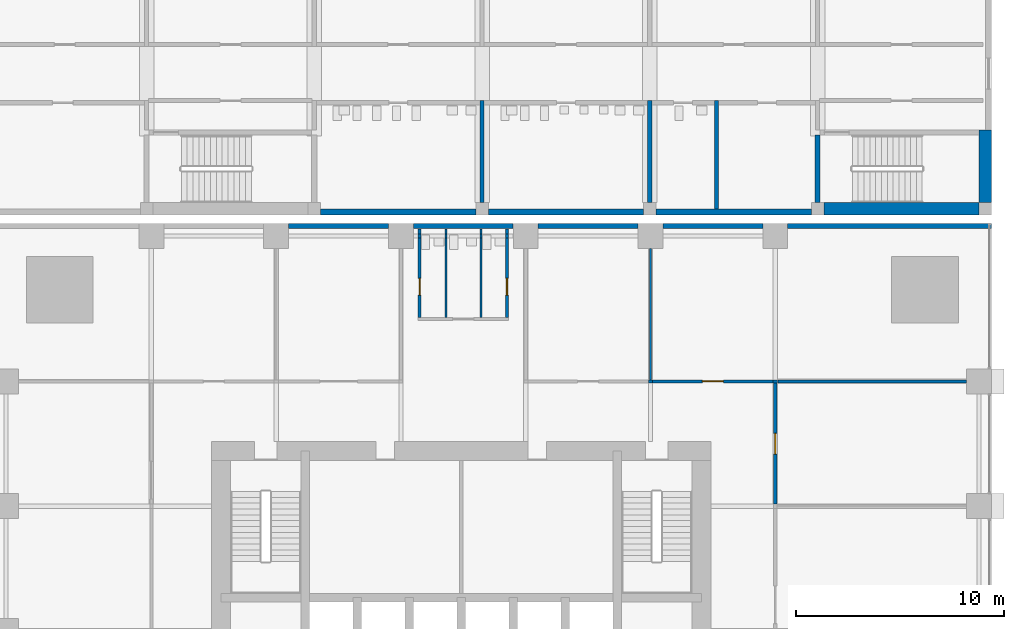
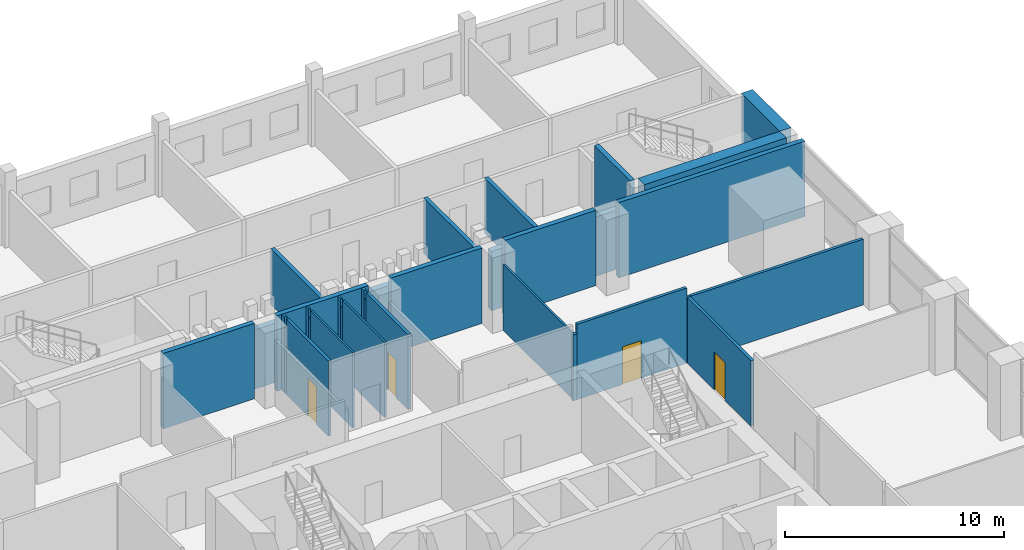
# One storey, part 15 of 25: 32 walls, 4 doors, 4 openings.
"""IFC4 building model written with IfcOpenShell, lengths in metres."""

from ifc_helpers import new_model, si_unit, direction, frame, frame_2d, origin, place, context, subcontext, project, spatial, rectangle, extrude, material, layer, layer_set, type_object, element, fill, save


model = new_model("IFC4")

# Units and contexts
model_context = context("Model", 3, precision=1e-05, world=origin(), true_north=direction((0.0, 1.0)))
body_context = subcontext(model_context, "Body", "Model", "MODEL_VIEW")
ifc_project = project(units=[si_unit("LENGTHUNIT", "METRE"), si_unit("AREAUNIT", "SQUARE_METRE"), si_unit("VOLUMEUNIT", "CUBIC_METRE"), si_unit("PLANEANGLEUNIT", "RADIAN"), si_unit("MASSUNIT", "GRAM", prefix="KILO")], contexts=[model_context])

# Site, building, storey
site_placement = place(None, origin())
site = spatial("IfcSite", under=ifc_project, at=site_placement, CompositionType="ELEMENT")
building_placement = place(site_placement, origin())
building = spatial("IfcBuilding", under=site, at=building_placement, Name="Amberfall Residences", CompositionType="ELEMENT")
storey_placement = place(building_placement, frame((0.0, 0.0, 10.0)))
storey = spatial("IfcBuildingStorey", under=building, at=storey_placement, Name="L02", CompositionType="ELEMENT", Elevation=10.0)

# Walls
ifc_material_1 = material(Name="Gypsum board on steel studs", Category="steel")
ifc_layer_1 = layer(ifc_material_1, 0.10009765625)
ifc_layer_set_1 = layer_set([ifc_layer_1], Name="Partition 100")
wall_type_1 = type_object("IfcWallType", Name="Partition 100", PredefinedType="PARTITIONING", material=ifc_layer_set_1)
wall_1_placement = place(storey_placement, frame((73.760009765625, 63.47509765625, 0.0), z_axis=(0.0, 0.0, 1.0), x_axis=(0.0, 1.0, 0.0)))
element("IfcWall", 1, at=wall_1_placement, inside=storey, type_object=wall_type_1, Name="Partition 100 L02 006", PredefinedType="PARTITIONING", context=body_context, shape_type="SweptSolid", body=[
    extrude(rectangle(XDim=3.830078125, YDim=0.10009765625, at=frame_2d((1.9150390625, 0.0))), origin(), (0.0, 0.0, 1.0), 4.199951171875),
])
wall_2_placement = place(storey_placement, frame((73.760009765625, 67.30517578125, 0.0), z_axis=(0.0, 0.0, 1.0), x_axis=(0.0, 1.0, 0.0)))
element("IfcWall", 2, at=wall_2_placement, inside=storey, type_object=wall_type_1, Name="Partition 100 L02 007", PredefinedType="PARTITIONING", context=body_context, shape_type="SweptSolid", body=[
    extrude(rectangle(XDim=0.18994140625, YDim=0.10009765625, at=frame_2d((0.094970703125, 0.0))), origin(), (0.0, 0.0, 1.0), 3.7470703125),
])
wall_3_placement = place(storey_placement, frame((73.760009765625, 67.4951171875, 0.0), z_axis=(0.0, 0.0, 1.0), x_axis=(0.0, 1.0, 0.0)))
element("IfcWall", 3, at=wall_3_placement, inside=storey, type_object=wall_type_1, Name="Partition 100 L02 008", PredefinedType="PARTITIONING", context=body_context, shape_type="SweptSolid", body=[
    extrude(rectangle(XDim=0.244873046875, YDim=0.10009765625, at=frame_2d((0.12255859375, 0.0))), origin(), (0.0, 0.0, 1.0), 4.199951171875),
])
wall_4_placement = place(storey_placement, frame((75.43994140625, 63.47509765625, 0.0), z_axis=(0.0, 0.0, 1.0), x_axis=(0.0, 1.0, 0.0)))
element("IfcWall", 4, at=wall_4_placement, inside=storey, type_object=wall_type_1, Name="Partition 100 L02 009", PredefinedType="PARTITIONING", context=body_context, shape_type="SweptSolid", body=[
    extrude(rectangle(XDim=3.830078125, YDim=0.10009765625, at=frame_2d((1.9150390625, 0.0))), origin(), (0.0, 0.0, 1.0), 4.199951171875),
])
wall_5_placement = place(storey_placement, frame((75.43994140625, 67.30517578125, 0.0), z_axis=(0.0, 0.0, 1.0), x_axis=(0.0, 1.0, 0.0)))
element("IfcWall", 5, at=wall_5_placement, inside=storey, type_object=wall_type_1, Name="Partition 100 L02 010", PredefinedType="PARTITIONING", context=body_context, shape_type="SweptSolid", body=[
    extrude(rectangle(XDim=0.18994140625, YDim=0.10009765625, at=frame_2d((0.094970703125, 0.0))), origin(), (0.0, 0.0, 1.0), 3.7470703125),
])
wall_6_placement = place(storey_placement, frame((75.43994140625, 67.4951171875, 0.0), z_axis=(0.0, 0.0, 1.0), x_axis=(0.0, 1.0, 0.0)))
element("IfcWall", 6, at=wall_6_placement, inside=storey, type_object=wall_type_1, Name="Partition 100 L02 011", PredefinedType="PARTITIONING", context=body_context, shape_type="SweptSolid", body=[
    extrude(rectangle(XDim=0.244873046875, YDim=0.10009765625, at=frame_2d((0.12255859375, 0.0))), origin(), (0.0, 0.0, 1.0), 4.199951171875),
])
wall_7_placement = place(storey_placement, frame((83.60009765625, 60.47509765625, 0.0), z_axis=(0.0, 0.0, 1.0), x_axis=(0.0, 1.0, 0.0)))
element("IfcWall", 7, at=wall_7_placement, inside=storey, type_object=wall_type_1, Name="Partition 100 L02 013", PredefinedType="PARTITIONING", context=body_context, shape_type="SweptSolid", body=[
    extrude(rectangle(XDim=6.324951171875, YDim=0.10009765625, at=frame_2d((3.16259765625, 0.0))), origin(), (0.0, 0.0, 1.0), 3.6669921875),
])
ifc_material_2 = material(Name="Fire-rated gypsum board on steel studs", Category="steel")
ifc_layer_2 = layer(ifc_material_2, 0.14990234375)
ifc_layer_set_2 = layer_set([ifc_layer_2], Name="Partition 150 fire-rated")
wall_type_2 = type_object("IfcWallType", Name="Partition 150 fire-rated", PredefinedType="PARTITIONING", material=ifc_layer_set_2)
wall_8_placement = place(storey_placement, frame((83.495361328125, 60.39990234375, 0.0), z_axis=(0.0, 0.0, 1.0), x_axis=(1.0, 0.0, 0.0)))
element("IfcWall", 8, at=wall_8_placement, inside=storey, type_object=wall_type_2, Name="Partition 150 fire-rated L02 022", PredefinedType="PARTITIONING", context=body_context, shape_type="SweptSolid", body=[
    extrude(rectangle(XDim=0.209228515625, YDim=0.14990234375, at=frame_2d((0.1044921875, 0.0))), origin(), (0.0, 0.0, 1.0), 3.6669921875),
])

# Wall, opening, door
wall_9_placement = place(storey_placement, frame((83.70458984375, 60.39990234375, 0.0), z_axis=(0.0, 0.0, 1.0), x_axis=(1.0, 0.0, 0.0)))
wall_9 = element("IfcWall", 9, at=wall_9_placement, inside=storey, type_object=wall_type_2, Name="Partition 150 fire-rated L02 023", PredefinedType="PARTITIONING", context=body_context, shape_type="SweptSolid", body=[
    extrude(rectangle(XDim=5.7900390625, YDim=0.14990234375, at=frame_2d((2.89501953125, 0.0))), origin(), (0.0, 0.0, 1.0), 4.199951171875),
])
opening_1_placement = place(wall_9_placement, frame((2.395263671875, 0.0, 0.0)))
opening_1 = element("IfcOpeningElement", 10, at=opening_1_placement, cuts=wall_9, Name="Opening D2", PredefinedType="OPENING", context=body_context, shape_type="SweptSolid", body=[
    extrude(rectangle(XDim=1.0, YDim=2.10009765625, at=frame_2d((0.5, 1.050048828125))), frame((0.0, 0.0849609375, 0.0), z_axis=(0.0, -1.0, 0.0), x_axis=(1.0, 0.0, 0.0)), (0.0, 0.0, 1.0), 0.169921875),
])
ifc_material_3 = material(Name="Steel fire door leaf", Category="steel")
door_type_1 = type_object("IfcDoorType", Name="Fire door 1000x2100 FD30S", OperationType="SINGLE_SWING_LEFT", PredefinedType="DOOR", material=ifc_material_3)
door_1_placement = place(opening_1_placement, origin())
door_1 = element("IfcDoor", 11, at=door_1_placement, inside=storey, type_object=door_type_1, Name="Door Massage rooms", OperationType="SINGLE_SWING_LEFT", OverallHeight=2.10009765625, OverallWidth=1.0, PredefinedType="DOOR", context=body_context, shape_type="SweptSolid", body=[
    extrude(rectangle(XDim=1.0, YDim=2.10009765625, at=frame_2d((0.5, 1.050048828125))), frame((0.0, 0.02490234375, 0.0), z_axis=(0.0, -1.0, 0.0), x_axis=(1.0, 0.0, 0.0)), (0.0, 0.0, 1.0), 0.050048828125),
])
fill(opening_1, door_1)

# Walls
wall_10_placement = place(storey_placement, frame((89.49462890625, 60.39990234375, 0.0), z_axis=(0.0, 0.0, 1.0), x_axis=(1.0, 0.0, 0.0)))
element("IfcWall", 12, at=wall_10_placement, inside=storey, type_object=wall_type_2, Name="Partition 150 fire-rated L02 024", PredefinedType="PARTITIONING", context=body_context, shape_type="SweptSolid", body=[
    extrude(rectangle(XDim=0.210693359375, YDim=0.14990234375, at=frame_2d((0.10546875, 0.0))), origin(), (0.0, 0.0, 1.0), 3.659912109375),
])
wall_11_placement = place(storey_placement, frame((89.719970703125, 60.39990234375, 0.0), z_axis=(0.0, 0.0, 1.0), x_axis=(1.0, 0.0, 0.0)))
element("IfcWall", 13, at=wall_11_placement, inside=storey, type_object=wall_type_2, Name="Partition 150 fire-rated L02 025", PredefinedType="PARTITIONING", context=body_context, shape_type="SweptSolid", body=[
    extrude(rectangle(XDim=9.080078125, YDim=0.14990234375, at=frame_2d((4.5400390625, 0.0))), origin(), (0.0, 0.0, 1.0), 3.6669921875),
])

# Wall, opening, door
wall_12_placement = place(storey_placement, frame((72.5, 63.47509765625, 0.0), z_axis=(0.0, 0.0, 1.0), x_axis=(0.0, 1.0, 0.0)))
wall_12 = element("IfcWall", 14, at=wall_12_placement, inside=storey, type_object=wall_type_2, Name="Partition 150 fire-rated L02 037", PredefinedType="PARTITIONING", context=body_context, shape_type="SweptSolid", body=[
    extrude(rectangle(XDim=3.830078125, YDim=0.14990234375, at=frame_2d((1.9150390625, 0.0))), origin(), (0.0, 0.0, 1.0), 4.199951171875),
])
opening_2_placement = place(wall_12_placement, frame((1.074951171875, 0.0, 0.0)))
opening_2 = element("IfcOpeningElement", 15, at=opening_2_placement, cuts=wall_12, Name="Opening D3", PredefinedType="OPENING", context=body_context, shape_type="SweptSolid", body=[
    extrude(rectangle(XDim=0.800048828125, YDim=2.10009765625, at=frame_2d((0.39990234375, 1.050048828125))), frame((0.0, 0.0849609375, 0.0), z_axis=(0.0, -1.0, 0.0), x_axis=(1.0, 0.0, 0.0)), (0.0, 0.0, 1.0), 0.169921875),
])
ifc_material_4 = material(Name="Timber veneer door leaf", Category="wood")
door_type_2 = type_object("IfcDoorType", Name="Toilet door 800x2100", OperationType="SINGLE_SWING_LEFT", PredefinedType="DOOR", material=ifc_material_4)
door_2_placement = place(opening_2_placement, origin())
door_2 = element("IfcDoor", 16, at=door_2_placement, inside=storey, type_object=door_type_2, Name="Door Gents WC L02", OperationType="SINGLE_SWING_LEFT", OverallHeight=2.10009765625, OverallWidth=0.800048828125, PredefinedType="DOOR", context=body_context, shape_type="SweptSolid", body=[
    extrude(rectangle(XDim=0.800048828125, YDim=2.10009765625, at=frame_2d((0.39990234375, 1.050048828125))), frame((0.0, 0.02490234375, 0.0), z_axis=(0.0, -1.0, 0.0), x_axis=(1.0, 0.0, 0.0)), (0.0, 0.0, 1.0), 0.050048828125),
])
fill(opening_2, door_2)

# Walls
wall_13_placement = place(storey_placement, frame((72.5, 67.30517578125, 0.0), z_axis=(0.0, 0.0, 1.0), x_axis=(0.0, 1.0, 0.0)))
element("IfcWall", 17, at=wall_13_placement, inside=storey, type_object=wall_type_2, Name="Partition 150 fire-rated L02 038", PredefinedType="PARTITIONING", context=body_context, shape_type="SweptSolid", body=[
    extrude(rectangle(XDim=0.18994140625, YDim=0.14990234375, at=frame_2d((0.094970703125, 0.0))), origin(), (0.0, 0.0, 1.0), 3.7470703125),
])
wall_14_placement = place(storey_placement, frame((72.5, 67.4951171875, 0.0), z_axis=(0.0, 0.0, 1.0), x_axis=(0.0, 1.0, 0.0)))
element("IfcWall", 18, at=wall_14_placement, inside=storey, type_object=wall_type_2, Name="Partition 150 fire-rated L02 039", PredefinedType="PARTITIONING", context=body_context, shape_type="SweptSolid", body=[
    extrude(rectangle(XDim=0.244873046875, YDim=0.14990234375, at=frame_2d((0.12255859375, 0.0))), origin(), (0.0, 0.0, 1.0), 4.199951171875),
])

# Wall, opening, door
wall_15_placement = place(storey_placement, frame((76.699951171875, 63.47509765625, 0.0), z_axis=(0.0, 0.0, 1.0), x_axis=(0.0, 1.0, 0.0)))
wall_15 = element("IfcWall", 19, at=wall_15_placement, inside=storey, type_object=wall_type_2, Name="Partition 150 fire-rated L02 040", PredefinedType="PARTITIONING", context=body_context, shape_type="SweptSolid", body=[
    extrude(rectangle(XDim=3.830078125, YDim=0.14990234375, at=frame_2d((1.9150390625, 0.0))), origin(), (0.0, 0.0, 1.0), 4.199951171875),
])
opening_3_placement = place(wall_15_placement, frame((1.074951171875, 0.0, 0.0)))
opening_3 = element("IfcOpeningElement", 20, at=opening_3_placement, cuts=wall_15, Name="Opening D3", PredefinedType="OPENING", context=body_context, shape_type="SweptSolid", body=[
    extrude(rectangle(XDim=0.800048828125, YDim=2.10009765625, at=frame_2d((0.39990234375, 1.050048828125))), frame((0.0, 0.0849609375, 0.0), z_axis=(0.0, -1.0, 0.0), x_axis=(1.0, 0.0, 0.0)), (0.0, 0.0, 1.0), 0.169921875),
])
door_3_placement = place(opening_3_placement, origin())
door_3 = element("IfcDoor", 21, at=door_3_placement, inside=storey, type_object=door_type_2, Name="Door Ladies WC L02", OperationType="SINGLE_SWING_LEFT", OverallHeight=2.10009765625, OverallWidth=0.800048828125, PredefinedType="DOOR", context=body_context, shape_type="SweptSolid", body=[
    extrude(rectangle(XDim=0.800048828125, YDim=2.10009765625, at=frame_2d((0.39990234375, 1.050048828125))), frame((0.0, 0.02490234375, 0.0), z_axis=(0.0, -1.0, 0.0), x_axis=(1.0, 0.0, 0.0)), (0.0, 0.0, 1.0), 0.050048828125),
])
fill(opening_3, door_3)

# Walls
wall_16_placement = place(storey_placement, frame((76.699951171875, 67.30517578125, 0.0), z_axis=(0.0, 0.0, 1.0), x_axis=(0.0, 1.0, 0.0)))
element("IfcWall", 22, at=wall_16_placement, inside=storey, type_object=wall_type_2, Name="Partition 150 fire-rated L02 041", PredefinedType="PARTITIONING", context=body_context, shape_type="SweptSolid", body=[
    extrude(rectangle(XDim=0.18994140625, YDim=0.14990234375, at=frame_2d((0.094970703125, 0.0))), origin(), (0.0, 0.0, 1.0), 3.7470703125),
])
wall_17_placement = place(storey_placement, frame((76.699951171875, 67.4951171875, 0.0), z_axis=(0.0, 0.0, 1.0), x_axis=(0.0, 1.0, 0.0)))
element("IfcWall", 23, at=wall_17_placement, inside=storey, type_object=wall_type_2, Name="Partition 150 fire-rated L02 042", PredefinedType="PARTITIONING", context=body_context, shape_type="SweptSolid", body=[
    extrude(rectangle(XDim=0.244873046875, YDim=0.14990234375, at=frame_2d((0.12255859375, 0.0))), origin(), (0.0, 0.0, 1.0), 4.199951171875),
])

# Wall, opening, door
wall_18_placement = place(storey_placement, frame((89.60009765625, 54.50537109375, 0.0), z_axis=(0.0, 0.0, 1.0), x_axis=(0.0, 1.0, 0.0)))
wall_18 = element("IfcWall", 24, at=wall_18_placement, inside=storey, type_object=wall_type_2, Name="Partition 150 fire-rated L02 052", PredefinedType="PARTITIONING", context=body_context, shape_type="SweptSolid", body=[
    extrude(rectangle(XDim=5.819580078125, YDim=0.14990234375, at=frame_2d((2.90966796875, 0.0))), origin(), (0.0, 0.0, 1.0), 3.659912109375),
])
opening_4_placement = place(wall_18_placement, frame((2.39453125, 0.0, 0.0)))
opening_4 = element("IfcOpeningElement", 25, at=opening_4_placement, cuts=wall_18, Name="Opening D2", PredefinedType="OPENING", context=body_context, shape_type="SweptSolid", body=[
    extrude(rectangle(XDim=1.0, YDim=2.10009765625, at=frame_2d((0.5, 1.050048828125))), frame((0.0, 0.0849609375, 0.0), z_axis=(0.0, -1.0, 0.0), x_axis=(1.0, 0.0, 0.0)), (0.0, 0.0, 1.0), 0.169921875),
])
door_4_placement = place(opening_4_placement, origin())
door_4 = element("IfcDoor", 26, at=door_4_placement, inside=storey, type_object=door_type_1, Name="Door Towel store", OperationType="SINGLE_SWING_LEFT", OverallHeight=2.10009765625, OverallWidth=1.0, PredefinedType="DOOR", context=body_context, shape_type="SweptSolid", body=[
    extrude(rectangle(XDim=1.0, YDim=2.10009765625, at=frame_2d((0.5, 1.050048828125))), frame((0.0, 0.02490234375, 0.0), z_axis=(0.0, -1.0, 0.0), x_axis=(1.0, 0.0, 0.0)), (0.0, 0.0, 1.0), 0.050048828125),
])
fill(opening_4, door_4)

# Walls
ifc_material_5 = material(Name="Precast concrete C40", Category="concrete")
ifc_layer_3 = layer(ifc_material_5, 0.25)
ifc_layer_set_3 = layer_set([ifc_layer_3], Name="Podium external wall 250")
wall_type_3 = type_object("IfcWallType", Name="Podium external wall 250", PredefinedType="SOLIDWALL", material=ifc_layer_set_3)
for number, where, z_axis, x_axis, name in (
    (27, (66.199951171875, 67.875, 0.0), (0.0, 0.0, 1.0), (1.0, 0.0, 0.0), "Podium external wall N3"),
    (28, (72.199951171875, 67.875, 0.0), (0.0, 0.0, 1.0), (1.0, 0.0, 0.0), "Podium external wall N4"),
    (29, (78.199951171875, 67.875, 0.0), (0.0, 0.0, 1.0), (1.0, 0.0, 0.0), "Podium external wall N5"),
    (30, (84.199951171875, 67.875, 0.0), (0.0, 0.0, 1.0), (1.0, 0.0, 0.0), "Podium external wall N6"),
):
    element("IfcWall", number, at=place(storey_placement, frame(where, z_axis=z_axis, x_axis=x_axis)), inside=storey, type_object=wall_type_3, Name=name, PredefinedType="SOLIDWALL", context=body_context, shape_type="SweptSolid", body=[
        extrude(rectangle(XDim=4.800048828125, YDim=0.25, at=frame_2d((2.39990234375, 0.0))), origin(), (0.0, 0.0, 1.0), 4.199951171875),
    ])
wall_19_placement = place(storey_placement, frame((90.199951171875, 67.875, 0.0), z_axis=(0.0, 0.0, 1.0), x_axis=(1.0, 0.0, 0.0)))
element("IfcWall", 31, at=wall_19_placement, inside=storey, type_object=wall_type_3, Name="Podium external wall N7", PredefinedType="SOLIDWALL", context=body_context, shape_type="SweptSolid", body=[
    extrude(rectangle(XDim=9.800048828125, YDim=0.25, at=frame_2d((4.89990234375, 0.0))), origin(), (0.0, 0.0, 1.0), 4.199951171875),
])
ifc_material_6 = material(Name="Aerated block wall")
ifc_layer_4 = layer(ifc_material_6, 0.300048828125)
ifc_layer_set_4 = layer_set([ifc_layer_4], Name="School external wall 300")
wall_type_4 = type_object("IfcWallType", Name="School external wall 300", PredefinedType="SOLIDWALL", material=ifc_layer_set_4)
for number, where, z_axis, x_axis, name in (
    (32, (67.73291015625, 68.550048828125, 0.0), (0.0, 0.0, 1.0), (1.0, 0.0, 0.0), "School external wall L02 EY2"),
    (33, (75.800048828125, 68.550048828125, 0.0), (0.0, 0.0, 1.0), (1.0, 0.0, 0.0), "School external wall L02 EY3"),
):
    element("IfcWall", number, at=place(storey_placement, frame(where, z_axis=z_axis, x_axis=x_axis)), inside=storey, type_object=wall_type_4, Name=name, PredefinedType="SOLIDWALL", context=body_context, shape_type="SweptSolid", body=[
        extrude(rectangle(XDim=7.467041015625, YDim=0.300048828125, at=frame_2d((3.7333984375, 0.0))), origin(), (0.0, 0.0, 1.0), 3.300048828125),
    ])
wall_20_placement = place(storey_placement, frame((83.866943359375, 68.550048828125, 0.0), z_axis=(0.0, 0.0, 1.0), x_axis=(1.0, 0.0, 0.0)))
element("IfcWall", 34, at=wall_20_placement, inside=storey, type_object=wall_type_4, Name="School external wall L02 EY4", PredefinedType="SOLIDWALL", context=body_context, shape_type="SweptSolid", body=[
    extrude(rectangle(XDim=7.466064453125, YDim=0.300048828125, at=frame_2d((3.73291015625, 0.0))), origin(), (0.0, 0.0, 1.0), 3.300048828125),
])
ifc_layer_5 = layer(ifc_material_6, 0.199951171875)
ifc_layer_set_5 = layer_set([ifc_layer_5], Name="School partition 200")
wall_type_5 = type_object("IfcWallType", Name="School partition 200", PredefinedType="PARTITIONING", material=ifc_layer_set_5)
for number, where, z_axis, x_axis, name in (
    (35, (75.5, 69.0, 0.0), (0.0, 0.0, 1.0), (0.0, 1.0, 0.0), "School partition L02 PS3"),
    (36, (83.56689453125, 69.0, 0.0), (0.0, 0.0, 1.0), (0.0, 1.0, 0.0), "School partition L02 PS4"),
):
    element("IfcWall", number, at=place(storey_placement, frame(where, z_axis=z_axis, x_axis=x_axis)), inside=storey, type_object=wall_type_5, Name=name, PredefinedType="PARTITIONING", context=body_context, shape_type="SweptSolid", body=[
        extrude(rectangle(XDim=4.89990234375, YDim=0.199951171875, at=frame_2d((2.449951171875, 0.0))), origin(), (0.0, 0.0, 1.0), 3.10009765625),
    ])
wall_21_placement = place(storey_placement, frame((86.76708984375, 68.699951171875, 0.0), z_axis=(0.0, 0.0, 1.0), x_axis=(0.0, 1.0, 0.0)))
element("IfcWall", 37, at=wall_21_placement, inside=storey, type_object=wall_type_5, Name="School partition L02 PS4x", PredefinedType="PARTITIONING", context=body_context, shape_type="SweptSolid", body=[
    extrude(rectangle(XDim=5.199951171875, YDim=0.199951171875, at=frame_2d((2.60009765625, 0.0))), origin(), (0.0, 0.0, 1.0), 3.10009765625),
])
ifc_material_7 = material(Name="Concrete C50", Category="concrete")
ifc_layer_6 = layer(ifc_material_7, 0.25)
ifc_layer_set_6 = layer_set([ifc_layer_6], Name="School stair core wall 250 C50")
wall_type_6 = type_object("IfcWallType", Name="School stair core wall 250 C50", PredefinedType="SHEAR", material=ifc_layer_set_6)
wall_22_placement = place(storey_placement, frame((91.633056640625, 69.0, -0.300048828125), z_axis=(0.0, 0.0, 1.0), x_axis=(0.0, 1.0, 0.0)))
element("IfcWall", 38, at=wall_22_placement, inside=storey, type_object=wall_type_6, Name="School core wall L02 SS5W", PredefinedType="SHEAR", context=body_context, shape_type="SweptSolid", body=[
    extrude(rectangle(XDim=3.25, YDim=0.25, at=frame_2d((1.625, 0.0))), origin(), (0.0, 0.0, 1.0), 4.5),
])
ifc_layer_7 = layer(ifc_material_7, 0.60009765625)
ifc_layer_set_7 = layer_set([ifc_layer_7], Name="School tower-side core wall 600 C50")
wall_type_7 = type_object("IfcWallType", Name="School tower-side core wall 600 C50", PredefinedType="SHEAR", material=ifc_layer_set_7)
wall_23_placement = place(storey_placement, frame((99.699951171875, 69.0, -0.300048828125), z_axis=(0.0, 0.0, 1.0), x_axis=(0.0, 1.0, 0.0)))
element("IfcWall", 39, at=wall_23_placement, inside=storey, type_object=wall_type_7, Name="School core wall L02 SS5EE", PredefinedType="SHEAR", context=body_context, shape_type="SweptSolid", body=[
    extrude(rectangle(XDim=3.5, YDim=0.60009765625, at=frame_2d((1.75, 0.0))), origin(), (0.0, 0.0, 1.0), 4.5),
])
wall_24_placement = place(storey_placement, frame((91.93310546875, 68.699951171875, -0.300048828125), z_axis=(0.0, 0.0, 1.0), x_axis=(1.0, 0.0, 0.0)))
element("IfcWall", 40, at=wall_24_placement, inside=storey, type_object=wall_type_7, Name="School core wall L02 SS5S", PredefinedType="SHEAR", context=body_context, shape_type="SweptSolid", body=[
    extrude(rectangle(XDim=7.466796875, YDim=0.60009765625, at=frame_2d((3.7333984375, 0.0))), origin(), (0.0, 0.0, 1.0), 4.5),
])

save(model, "model.ifc")
